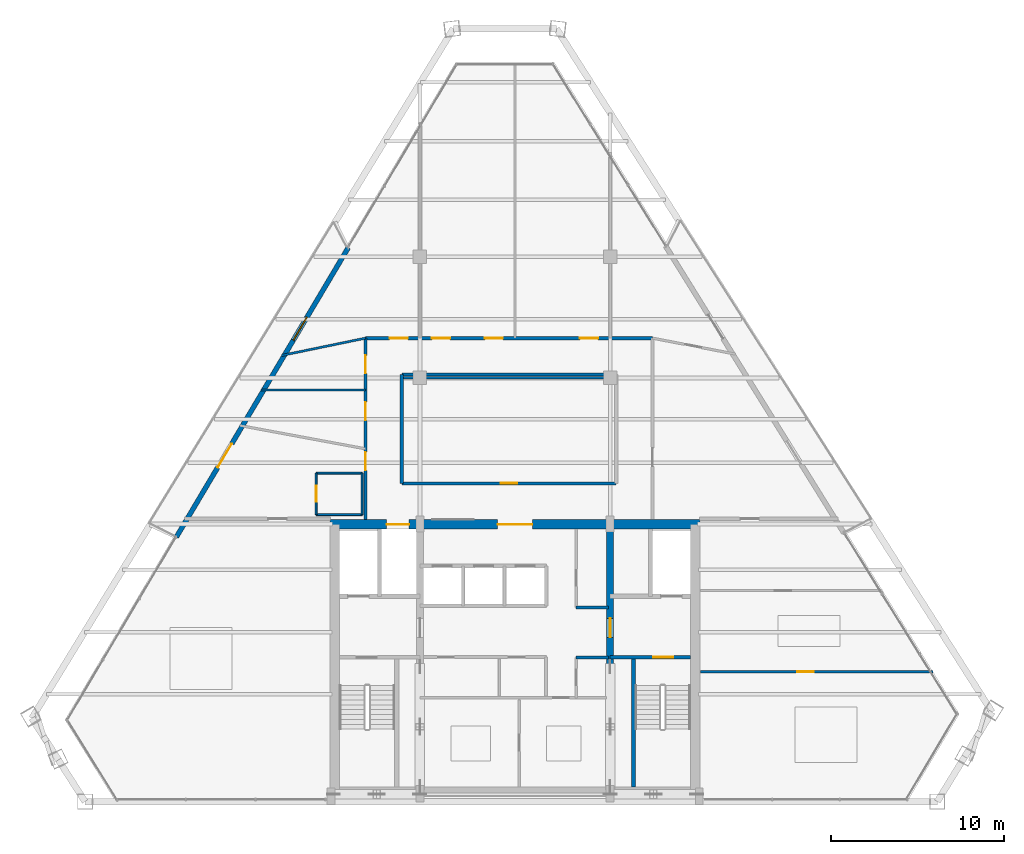
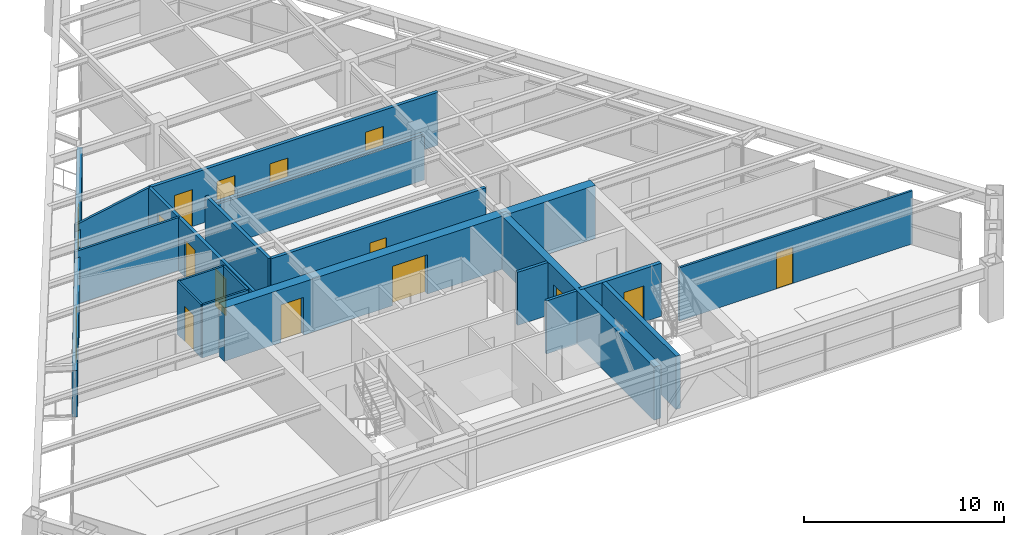
# One storey, part 9 of 12: 20 walls, 15 doors, 1 window, 16 openings.
"""IFC4 building model written with IfcOpenShell, lengths in metres."""

from ifc_helpers import new_model, si_unit, direction, frame, frame_2d, origin, place, context, subcontext, project, spatial, rectangle, extrude, source, transform, mapped, material, layer, layer_set, type_object, type_shapes, element, fill, save


model = new_model("IFC4")

# Units and contexts
model_context = context("Model", 3, precision=1e-05, world=origin(), true_north=direction((0.0, 1.0)))
body_context = subcontext(model_context, "Body", "Model", "MODEL_VIEW")
ifc_project = project(units=[si_unit("LENGTHUNIT", "METRE"), si_unit("AREAUNIT", "SQUARE_METRE"), si_unit("VOLUMEUNIT", "CUBIC_METRE"), si_unit("PLANEANGLEUNIT", "RADIAN"), si_unit("MASSUNIT", "GRAM", prefix="KILO")], contexts=[model_context])

# Site, building, storey
site_placement = place(None, origin())
site = spatial("IfcSite", under=ifc_project, at=site_placement, CompositionType="ELEMENT")
building_placement = place(site_placement, origin())
building = spatial("IfcBuilding", under=site, at=building_placement, Name="Varnakhor Terracotta Tower", CompositionType="ELEMENT")
storey_placement = place(building_placement, frame((0.0, 0.0, 230.35009765625)))
storey = spatial("IfcBuildingStorey", under=building, at=storey_placement, Name="L59", CompositionType="ELEMENT", Elevation=230.35009765625)

# Walls
ifc_material_1 = material(Name="Moisture-Resistant Tile-Backed Partition", Category="gypsum")
ifc_layer_1 = layer(ifc_material_1, 0.114990234375, Name="Moisture-Resistant Tile-Backed Partition")
ifc_layer_set_1 = layer_set([ifc_layer_1], Name="Moisture-Resistant Tile-Backed Partition")
wall_type_1 = type_object("IfcWallType", Name="WAL-BATH-115", PredefinedType="PARTITIONING", material=ifc_layer_set_1)
for number, where, z_axis, x_axis, name in (
    (1, (-11.5, 16.60009765625, 0.0), (0.0, 0.0, 1.0), (1.0, 0.0, 0.0), "L59 En-Suite 1 Wall S"),
    (2, (-11.5, 19.0, 0.0), (0.0, 0.0, 1.0), (1.0, 0.0, 0.0), "L59 En-Suite 1 Wall N"),
):
    element("IfcWall", number, at=place(storey_placement, frame(where, z_axis=z_axis, x_axis=x_axis)), inside=storey, type_object=wall_type_1, Name=name, PredefinedType="PARTITIONING", context=body_context, shape_type="SweptSolid", body=[
        extrude(rectangle(XDim=2.64990234375, YDim=0.114990234375, at=frame_2d((1.324951171875, 0.0))), origin(), (0.0, 0.0, 1.0), 3.23193359375),
    ])

# Wall, opening, door
wall_1_placement = place(storey_placement, frame((-11.5, 16.60009765625, 0.0), z_axis=(0.0, 0.0, 1.0), x_axis=(0.0, 1.0, 0.0)))
wall_1 = element("IfcWall", 3, at=wall_1_placement, inside=storey, type_object=wall_type_1, Name="L59 En-Suite 1 Wall W", PredefinedType="PARTITIONING", context=body_context, shape_type="SweptSolid", body=[
    extrude(rectangle(XDim=2.39990234375, YDim=0.114990234375, at=frame_2d((1.199951171875, 0.0))), origin(), (0.0, 0.0, 1.0), 3.23193359375),
])
opening_1_placement = place(wall_1_placement, frame((0.75, 0.0, 0.0)))
opening_1 = element("IfcOpeningElement", 4, at=opening_1_placement, cuts=wall_1, Name="Opening DR-93", PredefinedType="OPENING", context=body_context, shape_type="SweptSolid", body=[
    extrude(rectangle(XDim=0.89990234375, YDim=2.14990234375, at=frame_2d((0.449951171875, 1.074951171875))), frame((0.0, 0.0673828125, 0.0), z_axis=(0.0, -1.0, 0.0), x_axis=(1.0, 0.0, 0.0)), (0.0, 0.0, 1.0), 0.135009765625),
])
ifc_material_2 = material(Name="Moisture-Resistant Accessible Bathroom Door", Category="wood")
door_type_1 = type_object("IfcDoorType", Name="DR-BATH-900X2150", OperationType="NOTDEFINED", PredefinedType="DOOR", material=ifc_material_2)
shared_shape_1 = source(origin(), body_context, "Body", "SweptSolid", [
    extrude(rectangle(XDim=0.89990234375, YDim=2.14990234375, at=frame_2d((0.449951171875, 1.074951171875))), frame((0.0, 0.02490234375, 0.0), z_axis=(0.0, -1.0, 0.0), x_axis=(1.0, 0.0, 0.0)), (0.0, 0.0, 1.0), 0.050048828125),
])
type_shapes(door_type_1, [shared_shape_1])
door_1_placement = place(opening_1_placement, origin())
door_1 = element("IfcDoor", 5, at=door_1_placement, inside=storey, type_object=door_type_1, Name="L59 En-Suite Bathroom 1 Door", OperationType="SINGLE_SWING_RIGHT", OverallHeight=2.14990234375, OverallWidth=0.89990234375, PredefinedType="DOOR", context=body_context, shape_type="MappedRepresentation", body=[
    mapped(shared_shape_1, transform((0.0, 0.0, 0.0), scale=1.0)),
])
fill(opening_1, door_1)

# Wall
wall_2_placement = place(storey_placement, frame((-8.85009765625, 16.60009765625, 0.0), z_axis=(0.0, 0.0, 1.0), x_axis=(0.0, 1.0, 0.0)))
element("IfcWall", 6, at=wall_2_placement, inside=storey, type_object=wall_type_1, Name="L59 En-Suite 1 Wall E", PredefinedType="PARTITIONING", context=body_context, shape_type="SweptSolid", body=[
    extrude(rectangle(XDim=2.39990234375, YDim=0.114990234375, at=frame_2d((1.199951171875, 0.0))), origin(), (0.0, 0.0, 1.0), 3.23193359375),
])

# Wall, openings, doors
ifc_material_3 = material(Name="Concrete C50/60", Category="concrete")
ifc_layer_2 = layer(ifc_material_3, 0.550048828125, Name="Concrete C50/60")
ifc_layer_set_2 = layer_set([ifc_layer_2], Name="Concrete C50/60")
wall_type_2 = type_object("IfcWallType", Name="WAL-CORE-550", PredefinedType="SHEAR", material=ifc_layer_set_2)
wall_3_placement = place(storey_placement, frame((-10.699951171875, 16.02490234375, 0.0), z_axis=(0.0, 0.0, 1.0), x_axis=(1.0, 0.0, 0.0)))
wall_3 = element("IfcWall", 7, at=wall_3_placement, inside=storey, type_object=wall_type_2, Name="L59 North Core Shear Wall", PredefinedType="SHEAR", context=body_context, shape_type="SweptSolid", body=[
    extrude(rectangle(XDim=21.39990234375, YDim=0.550048828125, at=frame_2d((10.699951171875, 0.0))), origin(), (0.0, 0.0, 1.0), 3.239990234375),
])
opening_2_placement = place(wall_3_placement, frame((3.27001953125, 0.0, 0.0)))
opening_2 = element("IfcOpeningElement", 8, at=opening_2_placement, cuts=wall_3, Name="Opening LD-03", PredefinedType="OPENING", context=body_context, shape_type="SweptSolid", body=[
    extrude(rectangle(XDim=1.300048828125, YDim=2.300048828125, at=frame_2d((0.64990234375, 1.14990234375))), frame((0.0, 0.28515625, 0.0), z_axis=(0.0, -1.0, 0.0), x_axis=(1.0, 0.0, 0.0)), (0.0, 0.0, 1.0), 0.570068359375),
])
opening_3_placement = place(wall_3_placement, frame((9.699951171875, 0.0, 0.0)))
opening_3 = element("IfcOpeningElement", 9, at=opening_3_placement, cuts=wall_3, Name="Opening DR-32", PredefinedType="OPENING", context=body_context, shape_type="SweptSolid", body=[
    extrude(rectangle(XDim=2.0, YDim=2.39990234375, at=frame_2d((1.0, 1.199951171875))), frame((0.0, 0.28515625, 0.0), z_axis=(0.0, -1.0, 0.0), x_axis=(1.0, 0.0, 0.0)), (0.0, 0.0, 1.0), 0.570068359375),
])
ifc_material_4 = material(Name="Heavy-Duty Goods Sliding Lift Landing Door", Category="steel")
door_type_2 = type_object("IfcDoorType", Name="LD-SRV-1300X2300", OperationType="NOTDEFINED", PredefinedType="DOOR", material=ifc_material_4)
shared_shape_2 = source(origin(), body_context, "Body", "SweptSolid", [
    extrude(rectangle(XDim=1.300048828125, YDim=2.300048828125, at=frame_2d((0.64990234375, 1.14990234375))), frame((0.0, 0.02490234375, 0.0), z_axis=(0.0, -1.0, 0.0), x_axis=(1.0, 0.0, 0.0)), (0.0, 0.0, 1.0), 0.050048828125),
])
type_shapes(door_type_2, [shared_shape_2])
door_2_placement = place(opening_2_placement, origin())
door_2 = element("IfcDoor", 10, at=door_2_placement, inside=storey, type_object=door_type_2, Name="L59 Service Lift SVL-1 Landing Door", OperationType="SLIDING_TO_RIGHT", OverallHeight=2.300048828125, OverallWidth=1.300048828125, PredefinedType="DOOR", context=body_context, shape_type="MappedRepresentation", body=[
    mapped(shared_shape_2, transform((0.0, 0.0, 0.0), scale=1.0)),
])
fill(opening_2, door_2)
ifc_material_5 = material(Name="Acoustic Double Assembly Fire Door", Category="wood")
door_type_3 = type_object("IfcDoorType", Name="DR-HALL-2000X2400", OperationType="NOTDEFINED", PredefinedType="DOOR", material=ifc_material_5)
shared_shape_3 = source(origin(), body_context, "Body", "SweptSolid", [
    extrude(rectangle(XDim=2.0, YDim=2.39990234375, at=frame_2d((1.0, 1.199951171875))), frame((0.0, 0.02490234375, 0.0), z_axis=(0.0, -1.0, 0.0), x_axis=(1.0, 0.0, 0.0)), (0.0, 0.0, 1.0), 0.050048828125),
])
type_shapes(door_type_3, [shared_shape_3])
door_3_placement = place(opening_3_placement, origin())
door_3 = element("IfcDoor", 11, at=door_3_placement, inside=storey, type_object=door_type_3, Name="L59 Core Main Lobby Double Door", OperationType="DOUBLE_DOOR_SINGLE_SWING", OverallHeight=2.39990234375, OverallWidth=2.0, PredefinedType="DOOR", context=body_context, shape_type="MappedRepresentation", body=[
    mapped(shared_shape_3, transform((0.0, 0.0, 0.0), scale=1.0)),
])
fill(opening_3, door_3)

# Wall, opening, door
ifc_layer_3 = layer(ifc_material_3, 0.39990234375, Name="Concrete C50/60")
ifc_layer_set_3 = layer_set([ifc_layer_3], Name="Concrete C50/60")
wall_type_3 = type_object("IfcWallType", Name="WAL-CORE-WEB-400", PredefinedType="SHEAR", material=ifc_layer_set_3)
wall_4_placement = place(storey_placement, frame((5.5, 0.574951171875, 0.0), z_axis=(0.0, 0.0, 1.0), x_axis=(0.0, 1.0, 0.0)))
wall_4 = element("IfcWall", 12, at=wall_4_placement, inside=storey, type_object=wall_type_3, Name="L59 East Core Web Shear Wall", PredefinedType="SHEAR", context=body_context, shape_type="SweptSolid", body=[
    extrude(rectangle(XDim=15.449951171875, YDim=0.39990234375, at=frame_2d((7.72509765625, 0.0))), origin(), (0.0, 0.0, 1.0), 3.239990234375),
])
opening_4_placement = place(wall_4_placement, frame((8.925048828125, 0.0, 0.0)))
opening_4 = element("IfcOpeningElement", 13, at=opening_4_placement, cuts=wall_4, Name="Opening DR-25", PredefinedType="OPENING", context=body_context, shape_type="SweptSolid", body=[
    extrude(rectangle(XDim=1.10009765625, YDim=2.199951171875, at=frame_2d((0.550048828125, 1.10009765625))), frame((0.0, 0.2099609375, 0.0), z_axis=(0.0, -1.0, 0.0), x_axis=(1.0, 0.0, 0.0)), (0.0, 0.0, 1.0), 0.419921875),
])
ifc_material_6 = material(Name="Firefighting Lobby Self-Closing Fire Door", Category="steel")
door_type_4 = type_object("IfcDoorType", Name="DR-FFL-1100X2200", OperationType="NOTDEFINED", PredefinedType="DOOR", material=ifc_material_6)
shared_shape_4 = source(origin(), body_context, "Body", "SweptSolid", [
    extrude(rectangle(XDim=1.10009765625, YDim=2.199951171875, at=frame_2d((0.550048828125, 1.10009765625))), frame((0.0, 0.02490234375, 0.0), z_axis=(0.0, -1.0, 0.0), x_axis=(1.0, 0.0, 0.0)), (0.0, 0.0, 1.0), 0.050048828125),
])
type_shapes(door_type_4, [shared_shape_4])
door_4_placement = place(opening_4_placement, origin())
door_4 = element("IfcDoor", 14, at=door_4_placement, inside=storey, type_object=door_type_4, Name="L59 East Firefighting Lobby Door", OperationType="SINGLE_SWING_LEFT", OverallHeight=2.199951171875, OverallWidth=1.10009765625, PredefinedType="DOOR", context=body_context, shape_type="MappedRepresentation", body=[
    mapped(shared_shape_4, transform((0.0, 0.0, 0.0), scale=1.0)),
])
fill(opening_4, door_4)

ifc_material_7 = material(Name="Fire-Rated Gypsum Stud Partition", Category="gypsum")
ifc_layer_4 = layer(ifc_material_7, 0.18505859375, Name="Fire-Rated Gypsum Stud Partition")
ifc_layer_set_4 = layer_set([ifc_layer_4], Name="Fire-Rated Gypsum Stud Partition")
wall_type_4 = type_object("IfcWallType", Name="WAL-CORR-185", PredefinedType="PARTITIONING", material=ifc_layer_set_4)
wall_5_placement = place(storey_placement, frame((-6.550048828125, 18.39990234375, 0.0), z_axis=(0.0, 0.0, 1.0), x_axis=(1.0, 0.0, 0.0)))
wall_5 = element("IfcWall", 15, at=wall_5_placement, inside=storey, type_object=wall_type_4, Name="L59 Ring Inner South Wall", PredefinedType="PARTITIONING", context=body_context, shape_type="SweptSolid", body=[
    extrude(rectangle(XDim=12.400146484375, YDim=0.18505859375, at=frame_2d((6.2001953125, 0.0))), origin(), (0.0, 0.0, 1.0), 3.23193359375),
])
opening_5_placement = place(wall_5_placement, frame((5.72509765625, 0.0, 0.0)))
opening_5 = element("IfcOpeningElement", 16, at=opening_5_placement, cuts=wall_5, Name="Opening DR-94", PredefinedType="OPENING", context=body_context, shape_type="SweptSolid", body=[
    extrude(rectangle(XDim=0.949951171875, YDim=2.199951171875, at=frame_2d((0.47509765625, 1.10009765625))), frame((0.0, 0.1025390625, 0.0), z_axis=(0.0, -1.0, 0.0), x_axis=(1.0, 0.0, 0.0)), (0.0, 0.0, 1.0), 0.205078125),
])
ifc_material_8 = material(Name="Acoustic Glazed-Vision Timber Office Door", Category="wood")
door_type_5 = type_object("IfcDoorType", Name="DR-OFF-950X2200", OperationType="NOTDEFINED", PredefinedType="DOOR", material=ifc_material_8)
shared_shape_5 = source(origin(), body_context, "Body", "SweptSolid", [
    extrude(rectangle(XDim=0.949951171875, YDim=2.199951171875, at=frame_2d((0.47509765625, 1.10009765625))), frame((0.0, 0.02490234375, 0.0), z_axis=(0.0, -1.0, 0.0), x_axis=(1.0, 0.0, 0.0)), (0.0, 0.0, 1.0), 0.050048828125),
])
type_shapes(door_type_5, [shared_shape_5])
door_5_placement = place(opening_5_placement, origin())
door_5 = element("IfcDoor", 17, at=door_5_placement, inside=storey, type_object=door_type_5, Name="L59 Housekeeping Station Door", OperationType="SINGLE_SWING_RIGHT", OverallHeight=2.199951171875, OverallWidth=0.949951171875, PredefinedType="DOOR", context=body_context, shape_type="MappedRepresentation", body=[
    mapped(shared_shape_5, transform((0.0, 0.0, 0.0), scale=1.0)),
])
fill(opening_5, door_5)

# Walls
wall_6_placement = place(storey_placement, frame((-6.550048828125, 24.699951171875, 0.0), z_axis=(0.0, 0.0, 1.0), x_axis=(1.0, 0.0, 0.0)))
element("IfcWall", 18, at=wall_6_placement, inside=storey, type_object=wall_type_4, Name="L59 Ring Inner North Wall", PredefinedType="PARTITIONING", context=body_context, shape_type="SweptSolid", body=[
    extrude(rectangle(XDim=12.400146484375, YDim=0.18505859375, at=frame_2d((6.2001953125, 0.0))), origin(), (0.0, 0.0, 1.0), 2.682861328125),
])
wall_7_placement = place(storey_placement, frame((-6.550048828125, 18.39990234375, 0.0), z_axis=(0.0, 0.0, 1.0), x_axis=(0.0, 1.0, 0.0)))
element("IfcWall", 19, at=wall_7_placement, inside=storey, type_object=wall_type_4, Name="L59 Ring Inner West Wall", PredefinedType="PARTITIONING", context=body_context, shape_type="SweptSolid", body=[
    extrude(rectangle(XDim=6.300048828125, YDim=0.18505859375, at=frame_2d((3.14990234375, 0.0))), origin(), (0.0, 0.0, 1.0), 3.23193359375),
])

# Wall, openings, doors
wall_8_placement = place(storey_placement, frame((-8.64990234375, 16.300048828125, 0.0), z_axis=(0.0, 0.0, 1.0), x_axis=(0.0, 1.0, 0.0)))
wall_8 = element("IfcWall", 20, at=wall_8_placement, inside=storey, type_object=wall_type_4, Name="L59 Hotel West Corridor Wall", PredefinedType="PARTITIONING", context=body_context, shape_type="SweptSolid", body=[
    extrude(rectangle(XDim=10.5, YDim=0.18505859375, at=frame_2d((5.25, 0.0))), origin(), (0.0, 0.0, 1.0), 3.23193359375),
])
opening_6_placement = place(wall_8_placement, frame((2.8544921875, 0.0, 0.0)))
opening_6 = element("IfcOpeningElement", 21, at=opening_6_placement, cuts=wall_8, Name="Opening DR-95", PredefinedType="OPENING", context=body_context, shape_type="SweptSolid", body=[
    extrude(rectangle(XDim=1.050048828125, YDim=2.25, at=frame_2d((0.52490234375, 1.125))), frame((0.0, 0.1025390625, 0.0), z_axis=(0.0, -1.0, 0.0), x_axis=(1.0, 0.0, 0.0)), (0.0, 0.0, 1.0), 0.205078125),
])
opening_7_placement = place(wall_8_placement, frame((5.75244140625, 0.0, 0.0)))
opening_7 = element("IfcOpeningElement", 22, at=opening_7_placement, cuts=wall_8, Name="Opening DR-95", PredefinedType="OPENING", context=body_context, shape_type="SweptSolid", body=[
    extrude(rectangle(XDim=1.050048828125, YDim=2.25, at=frame_2d((0.52490234375, 1.125))), frame((0.0, 0.1025390625, 0.0), z_axis=(0.0, -1.0, 0.0), x_axis=(1.0, 0.0, 0.0)), (0.0, 0.0, 1.0), 0.205078125),
])
opening_8_placement = place(wall_8_placement, frame((8.45654296875, 0.0, 0.0)))
opening_8 = element("IfcOpeningElement", 23, at=opening_8_placement, cuts=wall_8, Name="Opening DR-95", PredefinedType="OPENING", context=body_context, shape_type="SweptSolid", body=[
    extrude(rectangle(XDim=1.050048828125, YDim=2.25, at=frame_2d((0.52490234375, 1.125))), frame((0.0, 0.1025390625, 0.0), z_axis=(0.0, -1.0, 0.0), x_axis=(1.0, 0.0, 0.0)), (0.0, 0.0, 1.0), 0.205078125),
])
ifc_material_9 = material(Name="Solid-Core Timber Tenant/Hotel Entrance Door", Category="wood")
door_type_6 = type_object("IfcDoorType", Name="DR-SUITE-1050X2250", OperationType="NOTDEFINED", PredefinedType="DOOR", material=ifc_material_9)
shared_shape_6 = source(origin(), body_context, "Body", "SweptSolid", [
    extrude(rectangle(XDim=1.050048828125, YDim=2.25, at=frame_2d((0.52490234375, 1.125))), frame((0.0, 0.02490234375, 0.0), z_axis=(0.0, -1.0, 0.0), x_axis=(1.0, 0.0, 0.0)), (0.0, 0.0, 1.0), 0.050048828125),
])
type_shapes(door_type_6, [shared_shape_6])
door_6_placement = place(opening_6_placement, origin())
door_6 = element("IfcDoor", 24, at=door_6_placement, inside=storey, type_object=door_type_6, Name="L59 West Room 1 Entry Door", OperationType="SINGLE_SWING_LEFT", OverallHeight=2.25, OverallWidth=1.050048828125, PredefinedType="DOOR", context=body_context, shape_type="MappedRepresentation", body=[
    mapped(shared_shape_6, transform((0.0, 0.0, 0.0), scale=1.0)),
])
fill(opening_6, door_6)
door_7_placement = place(opening_7_placement, origin())
door_7 = element("IfcDoor", 25, at=door_7_placement, inside=storey, type_object=door_type_6, Name="L59 West Room 2 Entry Door", OperationType="SINGLE_SWING_LEFT", OverallHeight=2.25, OverallWidth=1.050048828125, PredefinedType="DOOR", context=body_context, shape_type="MappedRepresentation", body=[
    mapped(shared_shape_6, transform((0.0, 0.0, 0.0), scale=1.0)),
])
fill(opening_7, door_7)
door_8_placement = place(opening_8_placement, origin())
door_8 = element("IfcDoor", 26, at=door_8_placement, inside=storey, type_object=door_type_6, Name="L59 West Room 3 Entry Door", OperationType="SINGLE_SWING_RIGHT", OverallHeight=2.25, OverallWidth=1.050048828125, PredefinedType="DOOR", context=body_context, shape_type="MappedRepresentation", body=[
    mapped(shared_shape_6, transform((0.0, 0.0, 0.0), scale=1.0)),
])
fill(opening_8, door_8)

wall_9_placement = place(storey_placement, frame((-8.64990234375, 26.800048828125, 0.0), z_axis=(0.0, 0.0, 1.0), x_axis=(1.0, 0.0, 0.0)))
wall_9 = element("IfcWall", 27, at=wall_9_placement, inside=storey, type_object=wall_type_4, Name="L59 Hotel North Corridor Wall", PredefinedType="PARTITIONING", context=body_context, shape_type="SweptSolid", body=[
    extrude(rectangle(XDim=16.599853515625, YDim=0.18505859375, at=frame_2d((8.2998046875, 0.0))), origin(), (0.0, 0.0, 1.0), 3.23193359375),
])
opening_9_placement = place(wall_9_placement, frame((3.847412109375, 0.0, 0.0)))
opening_9 = element("IfcOpeningElement", 28, at=opening_9_placement, cuts=wall_9, Name="Opening DR-95", PredefinedType="OPENING", context=body_context, shape_type="SweptSolid", body=[
    extrude(rectangle(XDim=1.050048828125, YDim=2.25, at=frame_2d((0.52490234375, 1.125))), frame((0.0, 0.1025390625, 0.0), z_axis=(0.0, -1.0, 0.0), x_axis=(1.0, 0.0, 0.0)), (0.0, 0.0, 1.0), 0.205078125),
])
opening_10_placement = place(wall_9_placement, frame((6.902587890625, 0.0, 0.0)))
opening_10 = element("IfcOpeningElement", 29, at=opening_10_placement, cuts=wall_9, Name="Opening DR-95", PredefinedType="OPENING", context=body_context, shape_type="SweptSolid", body=[
    extrude(rectangle(XDim=1.050048828125, YDim=2.25, at=frame_2d((0.52490234375, 1.125))), frame((0.0, 0.1025390625, 0.0), z_axis=(0.0, -1.0, 0.0), x_axis=(1.0, 0.0, 0.0)), (0.0, 0.0, 1.0), 0.205078125),
])
opening_11_placement = place(wall_9_placement, frame((12.402587890625, 0.0, 0.0)))
opening_11 = element("IfcOpeningElement", 30, at=opening_11_placement, cuts=wall_9, Name="Opening DR-95", PredefinedType="OPENING", context=body_context, shape_type="SweptSolid", body=[
    extrude(rectangle(XDim=1.050048828125, YDim=2.25, at=frame_2d((0.52490234375, 1.125))), frame((0.0, 0.1025390625, 0.0), z_axis=(0.0, -1.0, 0.0), x_axis=(1.0, 0.0, 0.0)), (0.0, 0.0, 1.0), 0.205078125),
])
opening_12_placement = place(wall_9_placement, frame((1.402587890625, 0.0, 0.0)))
opening_12 = element("IfcOpeningElement", 31, at=opening_12_placement, cuts=wall_9, Name="Opening DR-95", PredefinedType="OPENING", context=body_context, shape_type="SweptSolid", body=[
    extrude(rectangle(XDim=1.050048828125, YDim=2.25, at=frame_2d((0.52490234375, 1.125))), frame((0.0, 0.1025390625, 0.0), z_axis=(0.0, -1.0, 0.0), x_axis=(1.0, 0.0, 0.0)), (0.0, 0.0, 1.0), 0.205078125),
])
door_9_placement = place(opening_9_placement, origin())
door_9 = element("IfcDoor", 32, at=door_9_placement, inside=storey, type_object=door_type_6, Name="L59 North Suite 1 Entry Door", OperationType="SINGLE_SWING_RIGHT", OverallHeight=2.25, OverallWidth=1.050048828125, PredefinedType="DOOR", context=body_context, shape_type="MappedRepresentation", body=[
    mapped(shared_shape_6, transform((0.0, 0.0, 0.0), scale=1.0)),
])
fill(opening_9, door_9)
door_10_placement = place(opening_10_placement, origin())
door_10 = element("IfcDoor", 33, at=door_10_placement, inside=storey, type_object=door_type_6, Name="L59 North Suite 2 Entry Door", OperationType="SINGLE_SWING_LEFT", OverallHeight=2.25, OverallWidth=1.050048828125, PredefinedType="DOOR", context=body_context, shape_type="MappedRepresentation", body=[
    mapped(shared_shape_6, transform((0.0, 0.0, 0.0), scale=1.0)),
])
fill(opening_10, door_10)
door_11_placement = place(opening_11_placement, origin())
door_11 = element("IfcDoor", 34, at=door_11_placement, inside=storey, type_object=door_type_6, Name="L59 North Suite 3 Entry Door", OperationType="SINGLE_SWING_RIGHT", OverallHeight=2.25, OverallWidth=1.050048828125, PredefinedType="DOOR", context=body_context, shape_type="MappedRepresentation", body=[
    mapped(shared_shape_6, transform((0.0, 0.0, 0.0), scale=1.0)),
])
fill(opening_11, door_11)
door_12_placement = place(opening_12_placement, origin())
door_12 = element("IfcDoor", 35, at=door_12_placement, inside=storey, type_object=door_type_6, Name="L59 Club Concierge Reception NW Door", OperationType="SINGLE_SWING_RIGHT", OverallHeight=2.25, OverallWidth=1.050048828125, PredefinedType="DOOR", context=body_context, shape_type="MappedRepresentation", body=[
    mapped(shared_shape_6, transform((0.0, 0.0, 0.0), scale=1.0)),
])
fill(opening_12, door_12)

# Wall, openings, door, window
ifc_material_10 = material(Name="Extruded Architectural Terracotta Assembly", Category="masonry")
ifc_layer_5 = layer(ifc_material_10, 0.280029296875, Name="Extruded Architectural Terracotta Assembly")
ifc_layer_set_5 = layer_set([ifc_layer_5], Name="Extruded Architectural Terracotta Assembly")
wall_type_5 = type_object("IfcWallType", Name="WAL-EXT-TERRACOTTA-280", PredefinedType="SOLIDWALL", material=ifc_layer_set_5)
wall_10_placement = place(storey_placement, frame((-19.586181640625, 15.30029296875, 0.0), z_axis=(0.0, 0.0, 1.0), x_axis=(0.510822157644, 0.859686409838, 0.0)))
wall_10 = element("IfcWall", 36, at=wall_10_placement, inside=storey, type_object=wall_type_5, Name="L59 W Loggia Insulated Terracotta Wall", PredefinedType="SOLIDWALL", context=body_context, shape_type="SweptSolid", body=[
    extrude(rectangle(XDim=19.4638671875, YDim=0.280029296875, at=frame_2d((9.73193359375, 0.0))), origin(), (0.0, 0.0, 1.0), 2.81982421875),
])
opening_13_placement = place(wall_10_placement, frame((4.67138671875, 0.0, 0.0)))
opening_13 = element("IfcOpeningElement", 37, at=opening_13_placement, cuts=wall_10, Name="Opening DR-62", PredefinedType="OPENING", context=body_context, shape_type="SweptSolid", body=[
    extrude(rectangle(XDim=1.60009765625, YDim=2.35009765625, at=frame_2d((0.800048828125, 1.175048828125))), frame((0.0, 0.14990234375, 0.0), z_axis=(0.0, -1.0, 0.0), x_axis=(1.0, 0.0, 0.0)), (0.0, 0.0, 1.0), 0.300048828125),
])
opening_14_placement = place(wall_10_placement, frame((13.235595703125, 0.0, 0.89990234375)))
opening_14 = element("IfcOpeningElement", 38, at=opening_14_placement, cuts=wall_10, Name="Opening WN-59", PredefinedType="OPENING", context=body_context, shape_type="SweptSolid", body=[
    extrude(rectangle(XDim=1.550048828125, YDim=1.75, at=frame_2d((0.77490234375, 0.875))), frame((0.0, 0.14990234375, 0.0), z_axis=(0.0, -1.0, 0.0), x_axis=(1.0, 0.0, 0.0)), (0.0, 0.0, 1.0), 0.300048828125),
])
ifc_material_11 = material(Name="Thermally Broken Sliding Glass Loggia Door", Category="glass")
door_type_7 = type_object("IfcDoorType", Name="DR-EXT-LOGGIA-1600X2350", OperationType="NOTDEFINED", PredefinedType="DOOR", material=ifc_material_11)
shared_shape_7 = source(origin(), body_context, "Body", "SweptSolid", [
    extrude(rectangle(XDim=1.60009765625, YDim=2.35009765625, at=frame_2d((0.800048828125, 1.175048828125))), frame((0.0, 0.02490234375, 0.0), z_axis=(0.0, -1.0, 0.0), x_axis=(1.0, 0.0, 0.0)), (0.0, 0.0, 1.0), 0.050048828125),
])
type_shapes(door_type_7, [shared_shape_7])
door_13_placement = place(opening_13_placement, origin())
door_13 = element("IfcDoor", 39, at=door_13_placement, inside=storey, type_object=door_type_7, Name="L59 W Recessed Loggia Sliding Door", OperationType="SLIDING_TO_LEFT", OverallHeight=2.35009765625, OverallWidth=1.60009765625, PredefinedType="DOOR", context=body_context, shape_type="MappedRepresentation", body=[
    mapped(shared_shape_7, transform((0.0, 0.0, 0.0), scale=1.0)),
])
fill(opening_13, door_13)
ifc_material_12 = material(Name="Solar-Control Low-E Insulated Glass Unit", Category="glass")
window_type = type_object("IfcWindowType", Name="WIN-HTL-1500X1950", PartitioningType="SINGLE_PANEL", PredefinedType="WINDOW", material=ifc_material_12)
shared_shape_8 = source(origin(), body_context, "Body", "SweptSolid", [
    extrude(rectangle(XDim=1.550048828125, YDim=1.75, at=frame_2d((0.77490234375, 0.875))), frame((0.0, 0.030029296875, 0.0), z_axis=(0.0, -1.0, 0.0), x_axis=(1.0, 0.0, 0.0)), (0.0, 0.0, 1.0), 0.06005859375),
])
type_shapes(window_type, [shared_shape_8])
window_placement = place(opening_14_placement, origin())
window = element("IfcWindow", 40, at=window_placement, inside=storey, type_object=window_type, Name="L59 W Facet Punched Window", OverallHeight=1.75, OverallWidth=1.550048828125, PartitioningType="SINGLE_PANEL", PredefinedType="WINDOW", context=body_context, shape_type="MappedRepresentation", body=[
    mapped(shared_shape_8, transform((0.0, 0.0, 0.0), scale=1.0)),
])
fill(opening_14, window)

# Wall, opening, door
ifc_material_13 = material(Name="Concrete C40/50", Category="concrete")
ifc_layer_6 = layer(ifc_material_13, 0.219970703125, Name="Concrete C40/50")
ifc_layer_set_6 = layer_set([ifc_layer_6], Name="Concrete C40/50")
wall_type_6 = type_object("IfcWallType", Name="WAL-FFLOBBY-220", PredefinedType="SOLIDWALL", material=ifc_layer_set_6)
wall_11_placement = place(storey_placement, frame((10.14990234375, 8.35009765625, 0.0), z_axis=(0.0, 0.0, 1.0), x_axis=(-1.0, 0.0, 0.0)))
wall_11 = element("IfcWall", 41, at=wall_11_placement, inside=storey, type_object=wall_type_6, Name="L59 East Firefighting Lobby Stair Wall", PredefinedType="SOLIDWALL", context=body_context, shape_type="SweptSolid", body=[
    extrude(rectangle(XDim=4.64990234375, YDim=0.219970703125, at=frame_2d((2.324951171875, 0.0))), origin(), (0.0, 0.0, 1.0), 3.239990234375),
])
opening_15_placement = place(wall_11_placement, frame((1.0, 0.0, 0.0)))
opening_15 = element("IfcOpeningElement", 42, at=opening_15_placement, cuts=wall_11, Name="Opening DR-34", PredefinedType="OPENING", context=body_context, shape_type="SweptSolid", body=[
    extrude(rectangle(XDim=1.14990234375, YDim=2.199951171875, at=frame_2d((0.574951171875, 1.10009765625))), frame((0.0, 0.1201171875, 0.0), z_axis=(0.0, -1.0, 0.0), x_axis=(1.0, 0.0, 0.0)), (0.0, 0.0, 1.0), 0.239990234375),
])
ifc_material_14 = material(Name="Self-Closing Smoke-Sealed Steel Fire Door", Category="steel")
door_type_8 = type_object("IfcDoorType", Name="DR-STAIR-1150X2200", OperationType="NOTDEFINED", PredefinedType="DOOR", material=ifc_material_14)
shared_shape_9 = source(origin(), body_context, "Body", "SweptSolid", [
    extrude(rectangle(XDim=1.14990234375, YDim=2.199951171875, at=frame_2d((0.574951171875, 1.10009765625))), frame((0.0, 0.02490234375, 0.0), z_axis=(0.0, -1.0, 0.0), x_axis=(1.0, 0.0, 0.0)), (0.0, 0.0, 1.0), 0.050048828125),
])
type_shapes(door_type_8, [shared_shape_9])
door_14_placement = place(opening_15_placement, origin())
door_14 = element("IfcDoor", 43, at=door_14_placement, inside=storey, type_object=door_type_8, Name="L59 Exit Stair ST-2 Fire Door", OperationType="SINGLE_SWING_RIGHT", OverallHeight=2.199951171875, OverallWidth=1.14990234375, PredefinedType="DOOR", context=body_context, shape_type="MappedRepresentation", body=[
    mapped(shared_shape_9, transform((0.0, 0.0, 0.0), scale=1.0)),
])
fill(opening_15, door_14)

# Wall
ifc_material_15 = material(Name="Acoustic Hotel Room Partition", Category="gypsum")
ifc_layer_7 = layer(ifc_material_15, 0.1298828125, Name="Acoustic Hotel Room Partition")
ifc_layer_set_7 = layer_set([ifc_layer_7], Name="Acoustic Hotel Room Partition")
wall_type_7 = type_object("IfcWallType", Name="WAL-PART-130", PredefinedType="PARTITIONING", material=ifc_layer_set_7)
wall_12_placement = place(storey_placement, frame((-13.498779296875, 25.79931640625, 0.0), z_axis=(0.0, 0.0, 1.0), x_axis=(0.979359822394, 0.202124561301, 0.0)))
element("IfcWall", 44, at=wall_12_placement, inside=storey, type_object=wall_type_7, Name="L59 North West Suite South Wall", PredefinedType="PARTITIONING", context=body_context, shape_type="SweptSolid", body=[
    extrude(rectangle(XDim=4.951171875, YDim=0.1298828125, at=frame_2d((2.4755859375, 0.0))), origin(), (0.0, 0.0, 1.0), 3.23193359375),
])

# Wall, opening, door
wall_13_placement = place(storey_placement, frame((10.719970703125, 7.5, 0.0), z_axis=(0.0, 0.0, 1.0), x_axis=(1.0, 0.0, 0.0)))
wall_13 = element("IfcWall", 45, at=wall_13_placement, inside=storey, type_object=wall_type_7, Name="L59 SE Key Split 1", PredefinedType="PARTITIONING", context=body_context, shape_type="SweptSolid", body=[
    extrude(rectangle(XDim=13.447021484375, YDim=0.1298828125, at=frame_2d((6.7236328125, 0.0))), origin(), (0.0, 0.0, 1.0), 3.23193359375),
])
opening_16_placement = place(wall_13_placement, frame((5.610107421875, 0.0, 0.0)))
opening_16 = element("IfcOpeningElement", 46, at=opening_16_placement, cuts=wall_13, Name="Opening DR-94", PredefinedType="OPENING", context=body_context, shape_type="SweptSolid", body=[
    extrude(rectangle(XDim=0.949951171875, YDim=2.199951171875, at=frame_2d((0.47509765625, 1.10009765625))), frame((0.0, 0.074951171875, 0.0), z_axis=(0.0, -1.0, 0.0), x_axis=(1.0, 0.0, 0.0)), (0.0, 0.0, 1.0), 0.14990234375),
])
door_15_placement = place(opening_16_placement, origin())
door_15 = element("IfcDoor", 47, at=door_15_placement, inside=storey, type_object=door_type_5, Name="L59 SE Suite Connect Door 1", OperationType="SINGLE_SWING_LEFT", OverallHeight=2.199951171875, OverallWidth=0.949951171875, PredefinedType="DOOR", context=body_context, shape_type="MappedRepresentation", body=[
    mapped(shared_shape_5, transform((0.0, 0.0, 0.0), scale=1.0)),
])
fill(opening_16, door_15)

# Walls
wall_14_placement = place(storey_placement, frame((-14.68701171875, 23.800048828125, 0.0), z_axis=(0.0, 0.0, 1.0), x_axis=(1.0, 0.0, 0.0)))
element("IfcWall", 48, at=wall_14_placement, inside=storey, type_object=wall_type_7, Name="L59 West Key Cut 2", PredefinedType="PARTITIONING", context=body_context, shape_type="SweptSolid", body=[
    extrude(rectangle(XDim=6.037109375, YDim=0.1298828125, at=frame_2d((3.0185546875, 0.0))), origin(), (0.0, 0.0, 1.0), 3.23193359375),
])
ifc_material_16 = material(Name="Acoustic Metal-Stud Partition", Category="gypsum")
ifc_layer_8 = layer(ifc_material_16, 0.139892578125, Name="Acoustic Metal-Stud Partition")
ifc_layer_set_8 = layer_set([ifc_layer_8], Name="Acoustic Metal-Stud Partition")
wall_type_8 = type_object("IfcWallType", Name="WAL-PART-140", PredefinedType="PARTITIONING", material=ifc_layer_set_8)
wall_15_placement = place(storey_placement, frame((-6.550048828125, 24.5, 0.0), z_axis=(0.0, 0.0, 1.0), x_axis=(1.0, 0.0, 0.0)))
element("IfcWall", 49, at=wall_15_placement, inside=storey, type_object=wall_type_8, Name="L59 Inner Service Split", PredefinedType="PARTITIONING", context=body_context, shape_type="SweptSolid", body=[
    extrude(rectangle(XDim=12.400146484375, YDim=0.139892578125, at=frame_2d((6.2001953125, 0.0))), origin(), (0.0, 0.0, 1.0), 2.682861328125),
])
ifc_layer_9 = layer(ifc_material_13, 0.25, Name="Concrete C40/50")
ifc_layer_set_9 = layer_set([ifc_layer_9], Name="Concrete C40/50")
wall_type_9 = type_object("IfcWallType", Name="WAL-SHAFT-250", PredefinedType="SOLIDWALL", material=ifc_layer_set_9)
wall_16_placement = place(storey_placement, frame((6.85009765625, 0.85009765625, 0.0), z_axis=(0.0, 0.0, 1.0), x_axis=(0.0, 1.0, 0.0)))
element("IfcWall", 50, at=wall_16_placement, inside=storey, type_object=wall_type_9, Name="L59 Stair ST-2 Bearing Shaft Wall", PredefinedType="SOLIDWALL", context=body_context, shape_type="SweptSolid", body=[
    extrude(rectangle(XDim=7.5, YDim=0.25, at=frame_2d((3.75, 0.0))), origin(), (0.0, 0.0, 1.0), 3.239990234375),
])
ifc_material_17 = material(Name="Acoustic Fire-Rated Partition", Category="gypsum")
ifc_layer_10 = layer(ifc_material_17, 0.1650390625, Name="Acoustic Fire-Rated Partition")
ifc_layer_set_10 = layer_set([ifc_layer_10], Name="Acoustic Fire-Rated Partition")
wall_type_10 = type_object("IfcWallType", Name="WAL-TENANCY-165", PredefinedType="PARTITIONING", material=ifc_layer_set_10)
for number, where, z_axis, x_axis, name in (
    (51, (3.5400390625, 8.340087890625, 0.0), (0.0, 0.0, 1.0), (1.0, 0.0, 0.0), "L59 Accessible WC North Wall"),
    (52, (3.5400390625, 11.219970703125, 0.0), (0.0, 0.0, 1.0), (1.0, 0.0, 0.0), "L59 Restroom South Wall"),
):
    element("IfcWall", number, at=place(storey_placement, frame(where, z_axis=z_axis, x_axis=x_axis)), inside=storey, type_object=wall_type_10, Name=name, PredefinedType="PARTITIONING", context=body_context, shape_type="SweptSolid", body=[
        extrude(rectangle(XDim=1.8798828125, YDim=0.1650390625, at=frame_2d((0.93994140625, 0.0))), origin(), (0.0, 0.0, 1.0), 3.23193359375),
    ])

save(model, "model.ifc")
